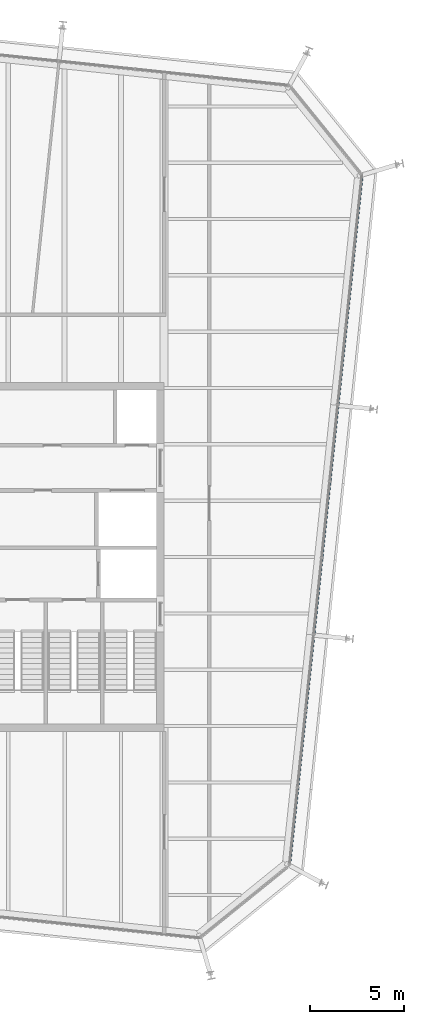
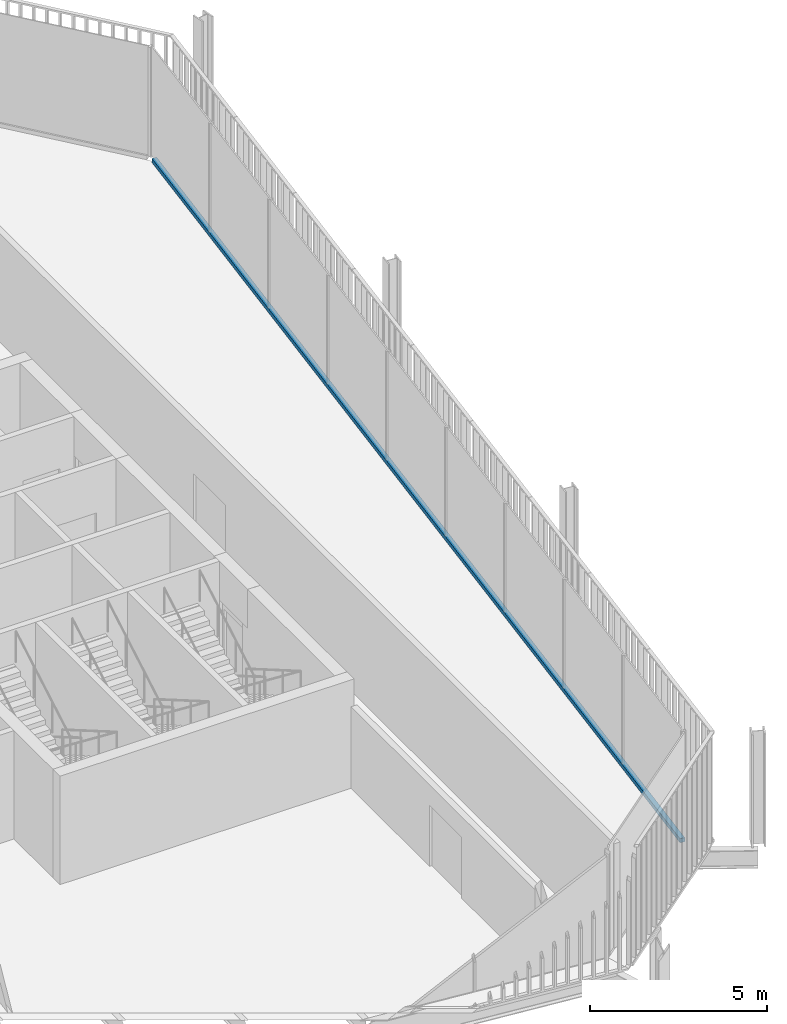
# One storey, part 10 of 20: 1 member, 1 element without a shape of its own.
"""IFC4 building model written with IfcOpenShell, lengths in metres."""

from ifc_helpers import new_model, si_unit, direction, frame, origin, origin_2d, place, context, subcontext, project, spatial, rectangle, extrude, material, layer, layer_set, material_profile, profile_set, type_object, element, aggregate, save


model = new_model("IFC4")

# Units and contexts
model_context = context("Model", 3, precision=1e-05, world=origin(), true_north=direction((0.0, 1.0)))
body_context = subcontext(model_context, "Body", "Model", "MODEL_VIEW")
ifc_project = project(units=[si_unit("LENGTHUNIT", "METRE"), si_unit("AREAUNIT", "SQUARE_METRE"), si_unit("VOLUMEUNIT", "CUBIC_METRE"), si_unit("PLANEANGLEUNIT", "RADIAN"), si_unit("MASSUNIT", "GRAM", prefix="KILO")], contexts=[model_context])

# Site, building, storey
site_placement = place(None, origin())
site = spatial("IfcSite", under=ifc_project, at=site_placement, CompositionType="ELEMENT")
building_placement = place(site_placement, origin())
building = spatial("IfcBuilding", under=site, at=building_placement, Name="Millrace Tower", CompositionType="ELEMENT")
storey_placement = place(building_placement, frame((0.0, 0.0, 330.39990234375)))
storey = spatial("IfcBuildingStorey", under=building, at=storey_placement, Name="L76", CompositionType="ELEMENT", Elevation=330.39990234375)

# Curtain wall, member
ifc_material_1 = material(Name="Aluminium and glass", Category="aluminium")
ifc_layer = layer(ifc_material_1, 0.14990234375)
ifc_layer_set = layer_set([ifc_layer], Name="Aluminium and glass")
curtain_wall_type = type_object("IfcCurtainWallType", Name="CW-1 office vision curtain wall", PredefinedType="NOTDEFINED", material=ifc_layer_set)
curtain_wall_placement = place(storey_placement, origin())
curtain_wall = element("IfcCurtainWall", 1, at=curtain_wall_placement, inside=storey, type_object=curtain_wall_type, Name="Curtain wall E-F04 L76", PredefinedType="NOTDEFINED")
ifc_material_2 = material(Name="Aluminium", Category="aluminium")
ifc_material_profile = material_profile(ifc_material_2, rectangle(XDim=0.14990234375, YDim=0.139892578125, at=origin_2d()))
ifc_profile_set = profile_set([ifc_material_profile], Name="Aluminium")
member_type = type_object("IfcMemberType", Name="CW-1 office vision curtain wall transom", PredefinedType="USERDEFINED", material=ifc_profile_set)
member_placement = place(storey_placement, frame((20.98193359375, -16.285400390625, 0.070068359375), z_axis=(0.104527916025, 0.994521952886, 0.0), x_axis=(-0.994521952886, 0.104527916025, 0.0)))
member = element("IfcMember", 2, at=member_placement, type_object=member_type, Name="CW1 transom E-F04.1", ObjectType="TRANSOM", PredefinedType="USERDEFINED", context=body_context, shape_type="SweptSolid", body=[
    extrude(rectangle(XDim=0.14990234375, YDim=0.139892578125, at=origin_2d()), origin(), (0.0, 0.0, 1.0), 36.699951171875),
])
aggregate(curtain_wall, [member])

save(model, "model.ifc")
